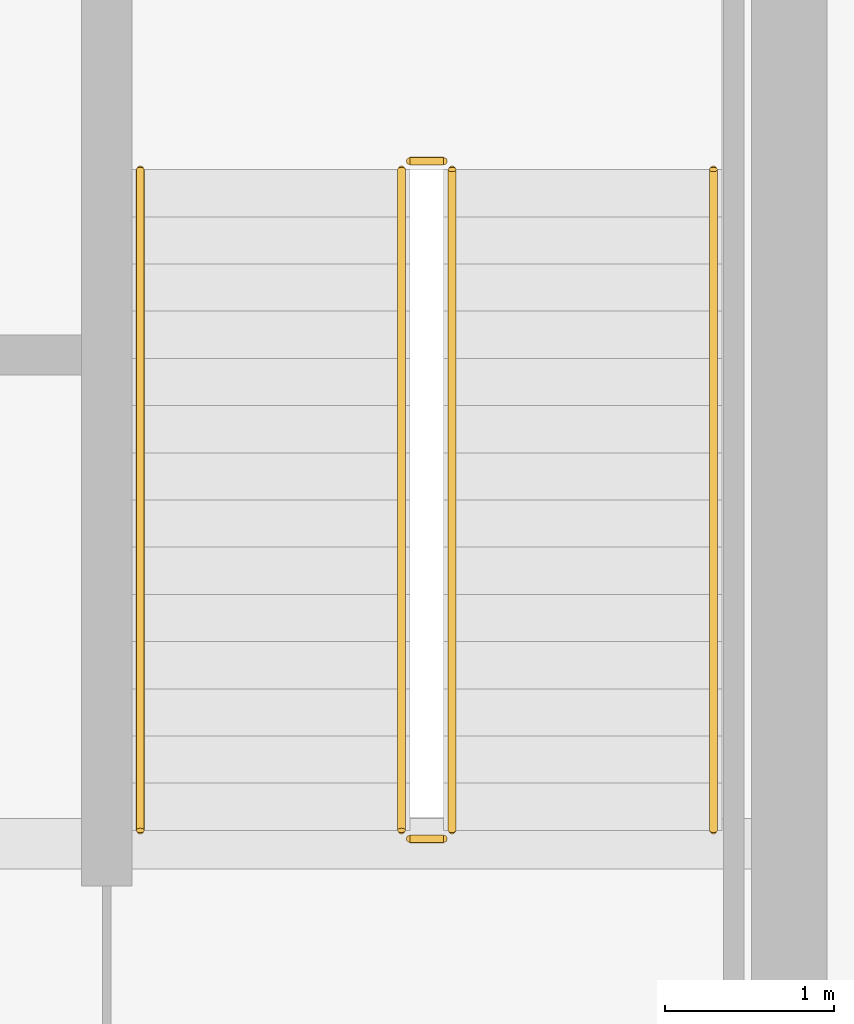
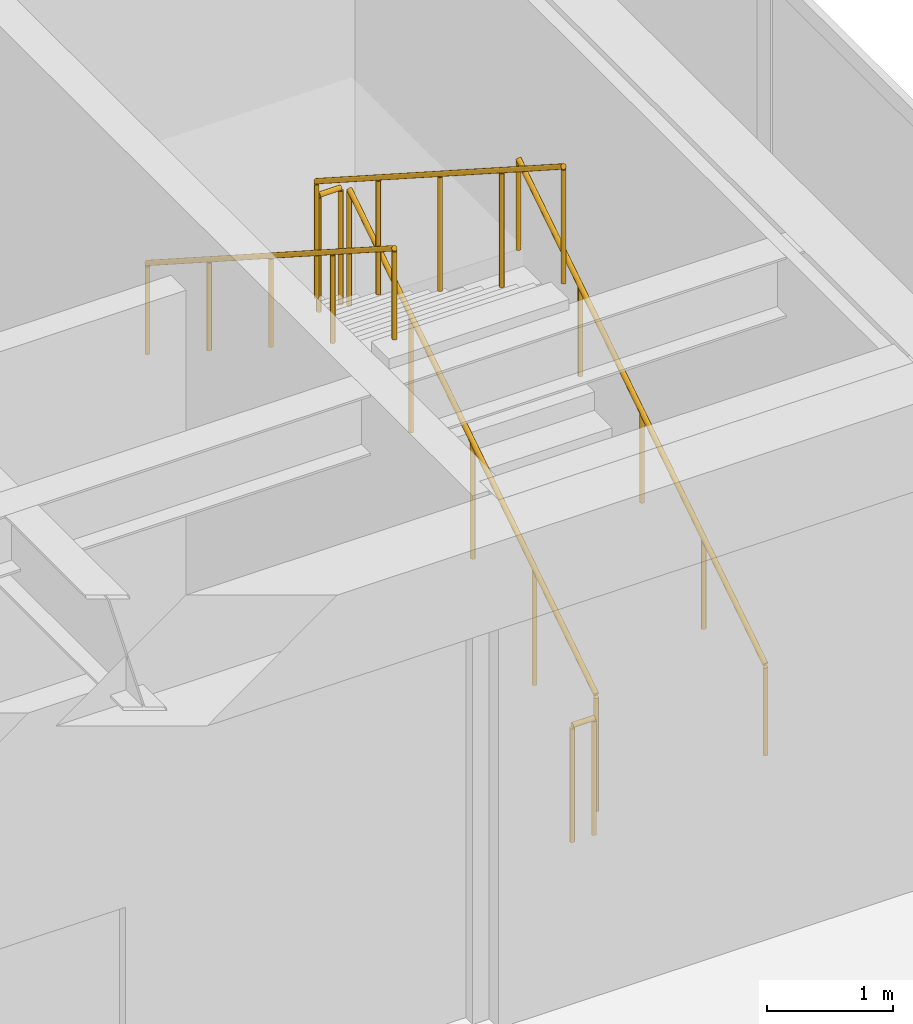
# One storey, part 29 of 30: 6 railings.
"""IFC4 building model written with IfcOpenShell, lengths in metres."""

from ifc_helpers import new_model, si_unit, direction, frame, origin, origin_2d, place, context, subcontext, project, spatial, circle, extrude, source, transform, mapped, material, type_object, type_shapes, element, save


model = new_model("IFC4")

# Units and contexts
model_context = context("Model", 3, precision=1e-05, world=origin(), true_north=direction((0.0, 1.0)))
body_context = subcontext(model_context, "Body", "Model", "MODEL_VIEW")
ifc_project = project(units=[si_unit("LENGTHUNIT", "METRE"), si_unit("AREAUNIT", "SQUARE_METRE"), si_unit("VOLUMEUNIT", "CUBIC_METRE"), si_unit("PLANEANGLEUNIT", "RADIAN"), si_unit("MASSUNIT", "GRAM", prefix="KILO")], contexts=[model_context])

# Site, building, storey
site_placement = place(None, origin())
site = spatial("IfcSite", under=ifc_project, at=site_placement, CompositionType="ELEMENT")
building_placement = place(site_placement, origin())
building = spatial("IfcBuilding", under=site, at=building_placement, Name="Haelvirn Gate Laboratories", CompositionType="ELEMENT")
storey_placement = place(building_placement, frame((0.0, 0.0, 332.39990234375)))
storey = spatial("IfcBuildingStorey", under=building, at=storey_placement, Name="L79", CompositionType="ELEMENT", Elevation=332.39990234375)

# Railings
ifc_material_1 = material(Name="Galvanised steel SM355 & stainless top rail", Category="steel")
railing_type_1 = type_object("IfcRailingType", Name="RL-GUARD-1150", PredefinedType="GUARDRAIL", material=ifc_material_1)
shared_shape_1 = source(origin(), body_context, "Body", "SweptSolid", [
    extrude(circle(Radius=0.02392578125, at=origin_2d()), frame((0.0, 0.0, 1.1259765625), z_axis=(0.0, 0.841186985886, 0.540744352514), x_axis=(-1.0, 0.0, 0.0)), (0.0, 0.0, 1.0), 4.660400390625),
    extrude(circle(Radius=0.02099609375, at=origin_2d()), origin(), (0.0, 0.0, 1.0), 1.101806640625),
    extrude(circle(Radius=0.02099609375, at=origin_2d()), frame((0.0, 0.97998046875, 0.6298828125)), (0.0, 0.0, 1.0), 1.101806640625),
    extrude(circle(Radius=0.02099609375, at=origin_2d()), frame((0.0, 1.9599609375, 1.260009765625)), (0.0, 0.0, 1.0), 1.101806640625),
    extrude(circle(Radius=0.02099609375, at=origin_2d()), frame((0.0, 2.940185546875, 1.89013671875)), (0.0, 0.0, 1.0), 1.101806640625),
    extrude(circle(Radius=0.02099609375, at=origin_2d()), frame((0.0, 3.920166015625, 2.52001953125)), (0.0, 0.0, 1.0), 1.101806640625),
])
railing_1_placement = place(storey_placement, frame((65.39990234375, 26.699951171875, 0.18017578125)))
element("IfcRailing", 1, at=railing_1_placement, inside=storey, type_object=railing_type_1, Name="L79 ST2 stair guard 1", PredefinedType="GUARDRAIL", context=body_context, shape_type="MappedRepresentation", body=[
    mapped(shared_shape_1, transform((0.0, 0.0, 0.0), scale=1.0)),
])
shared_shape_2 = source(origin(), body_context, "Body", "SweptSolid", [
    extrude(circle(Radius=0.02392578125, at=origin_2d()), frame((0.0, 0.0, 1.1259765625), z_axis=(0.0, -0.841186985886, 0.540744352514), x_axis=(1.0, 0.0, 0.0)), (0.0, 0.0, 1.0), 4.660400390625),
    extrude(circle(Radius=0.02099609375, at=origin_2d()), origin(), (0.0, 0.0, 1.0), 1.101806640625),
    extrude(circle(Radius=0.02099609375, at=origin_2d()), frame((0.0, -0.97998046875, 0.6298828125)), (0.0, 0.0, 1.0), 1.101806640625),
    extrude(circle(Radius=0.02099609375, at=origin_2d()), frame((0.0, -1.9599609375, 1.260009765625)), (0.0, 0.0, 1.0), 1.101806640625),
    extrude(circle(Radius=0.02099609375, at=origin_2d()), frame((0.0, -2.940185546875, 1.89013671875)), (0.0, 0.0, 1.0), 1.101806640625),
    extrude(circle(Radius=0.02099609375, at=origin_2d()), frame((0.0, -3.920166015625, 2.52001953125)), (0.0, 0.0, 1.0), 1.101806640625),
])
railing_2_placement = place(storey_placement, frame((65.10009765625, 30.6201171875, 2.880126953125)))
element("IfcRailing", 2, at=railing_2_placement, inside=storey, type_object=railing_type_1, Name="L79 ST2 stair guard 3", PredefinedType="GUARDRAIL", context=body_context, shape_type="MappedRepresentation", body=[
    mapped(shared_shape_2, transform((0.0, 0.0, 0.0), scale=1.0)),
])
ifc_material_2 = material(Name="Brushed stainless steel 316L", Category="steel")
railing_type_2 = type_object("IfcRailingType", Name="RL-HAND-920", PredefinedType="HANDRAIL", material=ifc_material_2)
shared_shape_3 = source(origin(), body_context, "Body", "SweptSolid", [
    extrude(circle(Radius=0.02392578125, at=origin_2d()), frame((0.0, 0.0, 0.8759765625), z_axis=(0.0, 0.841186985886, 0.540744352514), x_axis=(-1.0, 0.0, 0.0)), (0.0, 0.0, 1.0), 4.660400390625),
    extrude(circle(Radius=0.02099609375, at=origin_2d()), origin(), (0.0, 0.0, 1.0), 0.851806640625),
    extrude(circle(Radius=0.02099609375, at=origin_2d()), frame((0.0, 0.97998046875, 0.6298828125)), (0.0, 0.0, 1.0), 0.851806640625),
    extrude(circle(Radius=0.02099609375, at=origin_2d()), frame((0.0, 1.9599609375, 1.260009765625)), (0.0, 0.0, 1.0), 0.851806640625),
    extrude(circle(Radius=0.02099609375, at=origin_2d()), frame((0.0, 2.940185546875, 1.89013671875)), (0.0, 0.0, 1.0), 0.851806640625),
    extrude(circle(Radius=0.02099609375, at=origin_2d()), frame((0.0, 3.920166015625, 2.52001953125)), (0.0, 0.0, 1.0), 0.851806640625),
])
railing_3_placement = place(storey_placement, frame((66.949951171875, 26.699951171875, 0.18017578125)))
element("IfcRailing", 3, at=railing_3_placement, inside=storey, type_object=railing_type_2, Name="L79 ST2 stair handrail 1", PredefinedType="HANDRAIL", context=body_context, shape_type="MappedRepresentation", body=[
    mapped(shared_shape_3, transform((0.0, 0.0, 0.0), scale=1.0)),
])
shared_shape_4 = source(origin(), body_context, "Body", "SweptSolid", [
    extrude(circle(Radius=0.02392578125, at=origin_2d()), frame((0.0, 0.0, 0.8759765625), z_axis=(0.0, -0.841186985886, 0.540744352514), x_axis=(1.0, 0.0, 0.0)), (0.0, 0.0, 1.0), 4.660400390625),
    extrude(circle(Radius=0.02099609375, at=origin_2d()), origin(), (0.0, 0.0, 1.0), 0.851806640625),
    extrude(circle(Radius=0.02099609375, at=origin_2d()), frame((0.0, -0.97998046875, 0.6298828125)), (0.0, 0.0, 1.0), 0.851806640625),
    extrude(circle(Radius=0.02099609375, at=origin_2d()), frame((0.0, -1.9599609375, 1.260009765625)), (0.0, 0.0, 1.0), 0.851806640625),
    extrude(circle(Radius=0.02099609375, at=origin_2d()), frame((0.0, -2.940185546875, 1.89013671875)), (0.0, 0.0, 1.0), 0.851806640625),
    extrude(circle(Radius=0.02099609375, at=origin_2d()), frame((0.0, -3.920166015625, 2.52001953125)), (0.0, 0.0, 1.0), 0.851806640625),
])
type_shapes(railing_type_2, [shared_shape_3, shared_shape_4])
railing_4_placement = place(storey_placement, frame((63.550048828125, 30.6201171875, 2.880126953125)))
element("IfcRailing", 4, at=railing_4_placement, inside=storey, type_object=railing_type_2, Name="L79 ST2 stair handrail 2", PredefinedType="HANDRAIL", context=body_context, shape_type="MappedRepresentation", body=[
    mapped(shared_shape_4, transform((0.0, 0.0, 0.0), scale=1.0)),
])
shared_shape_5 = source(origin(), body_context, "Body", "SweptSolid", [
    extrude(circle(Radius=0.02392578125, at=origin_2d()), frame((0.0, 0.0, 1.1259765625), z_axis=(-1.0, 0.0, 0.0), x_axis=(0.0, -1.0, 0.0)), (0.0, 0.0, 1.0), 0.2001953125),
    extrude(circle(Radius=0.02099609375, at=origin_2d()), origin(), (0.0, 0.0, 1.0), 1.101806640625),
    extrude(circle(Radius=0.02099609375, at=origin_2d()), frame((-0.2001953125, 0.0, 0.0)), (0.0, 0.0, 1.0), 1.101806640625),
])
type_shapes(railing_type_1, [shared_shape_1, shared_shape_2, shared_shape_5])
for number, where, name in (
    (5, (65.35009765625, 30.669921875, 2.7001953125), "L79 ST2 stair guard 2"),
    (6, (65.35009765625, 26.64990234375, 0.0), "L79 ST2 stair guard 4"),
):
    element("IfcRailing", number, at=place(storey_placement, frame(where)), inside=storey, type_object=railing_type_1, Name=name, PredefinedType="GUARDRAIL", context=body_context, shape_type="MappedRepresentation", body=[
        mapped(shared_shape_5, transform((0.0, 0.0, 0.0), scale=1.0)),
    ])

save(model, "model.ifc")
